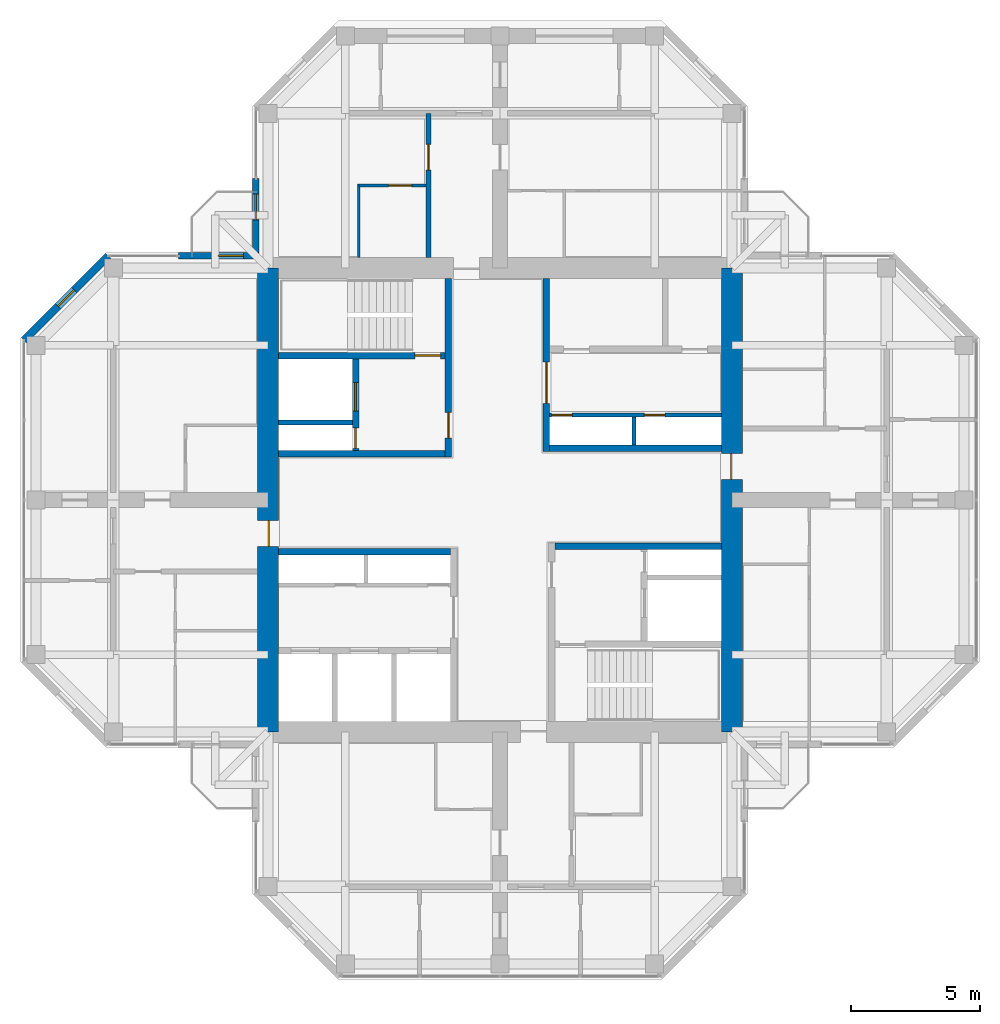
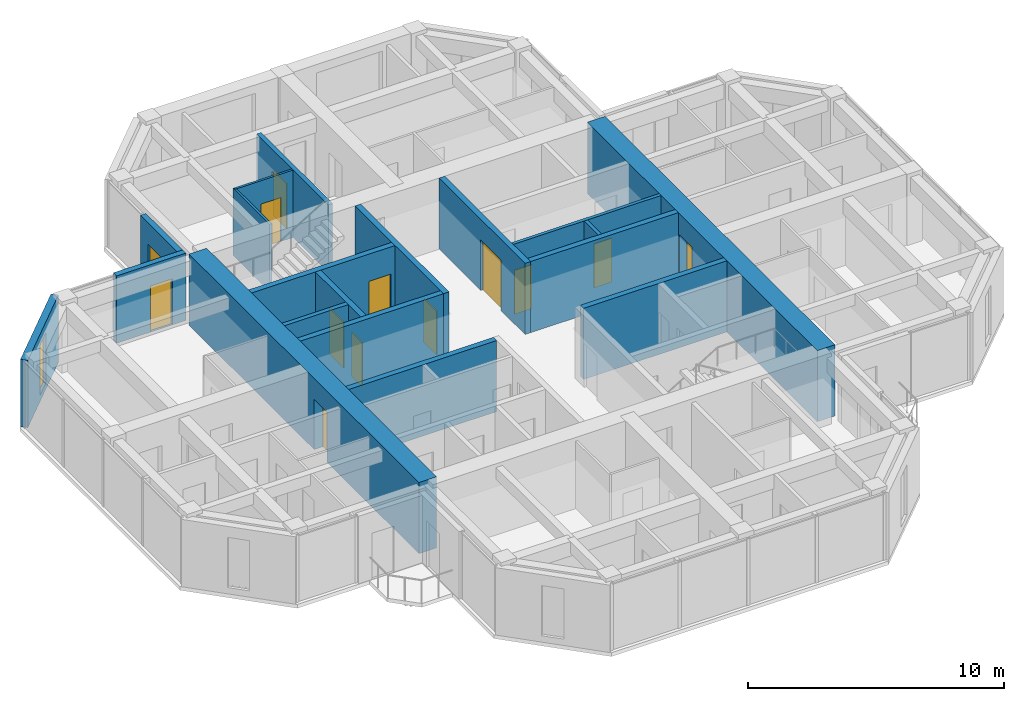
# One storey, part 10 of 13: 19 walls, 13 doors, 1 window, 14 openings.
"""IFC4 building model written with IfcOpenShell, lengths in metres."""

from ifc_helpers import new_model, si_unit, direction, frame, frame_2d, origin, place, context, subcontext, project, spatial, rectangle, hollow_rectangle, extrude, material, layer, layer_set, constituent, constituent_set, type_object, element, fill, save


model = new_model("IFC4")

# Units and contexts
model_context = context("Model", 3, precision=1e-05, world=origin(), true_north=direction((0.0, 1.0)))
body_context = subcontext(model_context, "Body", "Model", "MODEL_VIEW")
ifc_project = project(units=[si_unit("LENGTHUNIT", "METRE"), si_unit("AREAUNIT", "SQUARE_METRE"), si_unit("VOLUMEUNIT", "CUBIC_METRE"), si_unit("PLANEANGLEUNIT", "RADIAN"), si_unit("MASSUNIT", "GRAM", prefix="KILO")], contexts=[model_context])

# Site, building, storey
site_placement = place(None, origin())
site = spatial("IfcSite", under=ifc_project, at=site_placement, CompositionType="ELEMENT")
building_placement = place(site_placement, origin())
building = spatial("IfcBuilding", under=site, at=building_placement, Name="Torre Cruceta", CompositionType="ELEMENT")
storey_placement = place(building_placement, frame((0.0, 0.0, 281.5)))
storey = spatial("IfcBuildingStorey", under=building, at=storey_placement, Name="L73", CompositionType="ELEMENT", Elevation=281.5)

# Wall
ifc_material_1 = material(Name="Water-resistant plasterboard on steel studs", Category="steel")
ifc_layer_1 = layer(ifc_material_1, 0.10009765625)
ifc_layer_set_1 = layer_set([ifc_layer_1], Name="Water-resistant plasterboard on steel studs")
wall_type_1 = type_object("IfcWallType", Name="BATHROOM WALL 100", PredefinedType="PARTITIONING", material=ifc_layer_set_1)
wall_1_placement = place(storey_placement, frame((-5.47509765625, 9.39990234375, 0.0), z_axis=(0.0, 0.0, 1.0), x_axis=(0.0, 1.0, 0.0)))
element("IfcWall", 1, at=wall_1_placement, inside=storey, type_object=wall_type_1, Name="PT4 L73-N-U1LBB", PredefinedType="PARTITIONING", context=body_context, shape_type="SweptSolid", body=[
    extrude(rectangle(XDim=2.85009765625, YDim=0.10009765625, at=frame_2d((1.425048828125, 0.0))), origin(), (0.0, 0.0, 1.0), 3.219970703125),
])

# Wall, opening, door
wall_2_placement = place(storey_placement, frame((-2.875, 12.199951171875, 0.0), z_axis=(0.0, 0.0, 1.0), x_axis=(-1.0, 0.0, 0.0)))
wall_2 = element("IfcWall", 2, at=wall_2_placement, inside=storey, type_object=wall_type_1, Name="PT4 L73-N-U1LBS", PredefinedType="PARTITIONING", context=body_context, shape_type="SweptSolid", body=[
    extrude(rectangle(XDim=2.60009765625, YDim=0.10009765625, at=frame_2d((1.300048828125, 0.0))), origin(), (0.0, 0.0, 1.0), 3.219970703125),
])
opening_1_placement = place(wall_2_placement, frame((0.550048828125, 0.0, 0.0)))
opening_1 = element("IfcOpeningElement", 3, at=opening_1_placement, cuts=wall_2, Name="Opening D7", PredefinedType="OPENING", context=body_context, shape_type="SweptSolid", body=[
    extrude(rectangle(XDim=0.89990234375, YDim=2.10009765625, at=frame_2d((0.449951171875, 1.050048828125))), frame((0.0, 0.06005859375, 0.0), z_axis=(0.0, -1.0, 0.0), x_axis=(1.0, 0.0, 0.0)), (0.0, 0.0, 1.0), 0.1201171875),
])
ifc_material_2 = material(Name="Timber door", Category="wood")
door_type_1 = type_object("IfcDoorType", Name="BATHROOM DOOR 900X2100", OperationType="SINGLE_SWING_LEFT", PredefinedType="DOOR", material=ifc_material_2)
door_1_placement = place(opening_1_placement, origin())
door_1 = element("IfcDoor", 4, at=door_1_placement, inside=storey, type_object=door_type_1, Name="D7 L73-N-U1LBS-D1", OperationType="SINGLE_SWING_LEFT", OverallHeight=2.10009765625, OverallWidth=0.89990234375, PredefinedType="DOOR", context=body_context, shape_type="SweptSolid", body=[
    extrude(rectangle(XDim=0.89990234375, YDim=2.10009765625, at=frame_2d((0.449951171875, 1.050048828125))), frame((0.0, 0.02490234375, 0.0), z_axis=(0.0, -1.0, 0.0), x_axis=(1.0, 0.0, 0.0)), (0.0, 0.0, 1.0), 0.050048828125),
])
fill(opening_1, door_1)

ifc_material_3 = material(Name="Concrete G60 (fck 60 MPa)", Category="concrete")
ifc_layer_2 = layer(ifc_material_3, 0.25)
ifc_layer_set_2 = layer_set([ifc_layer_2], Name="Concrete G60 (fck 60 MPa)")
wall_type_2 = type_object("IfcWallType", Name="CORE INNER WALL 250 G60", PredefinedType="SHEAR", material=ifc_layer_set_2)
wall_3_placement = place(storey_placement, frame((1.800048828125, 1.875, 0.0), z_axis=(0.0, 0.0, 1.0), x_axis=(0.0, 1.0, 0.0)))
wall_3 = element("IfcWall", 5, at=wall_3_placement, inside=storey, type_object=wall_type_2, Name="CW4 L73 NE-CU", PredefinedType="SHEAR", context=body_context, shape_type="SweptSolid", body=[
    extrude(rectangle(XDim=6.72509765625, YDim=0.25, at=frame_2d((3.362548828125, 0.0))), origin(), (0.0, 0.0, 1.0), 3.39990234375),
])
opening_2_placement = place(wall_3_placement, frame((1.875, 0.0, 0.0)))
opening_2 = element("IfcOpeningElement", 6, at=opening_2_placement, cuts=wall_3, Name="Opening D15", PredefinedType="OPENING", context=body_context, shape_type="SweptSolid", body=[
    extrude(rectangle(XDim=1.60009765625, YDim=2.39990234375, at=frame_2d((0.800048828125, 1.199951171875))), frame((0.0, 0.135009765625, 0.0), z_axis=(0.0, -1.0, 0.0), x_axis=(1.0, 0.0, 0.0)), (0.0, 0.0, 1.0), 0.27001953125),
])
ifc_material_4 = material(Name="Steel DX51D", Category="steel")
ifc_constituent_1 = constituent(ifc_material_4, Name="Leaf and frame")
ifc_material_5 = material(Name="Polyester powder coating", Category="paint")
ifc_constituent_2 = constituent(ifc_material_5, Name="Finish")
ifc_constituent_set_1 = constituent_set(constituents=[ifc_constituent_1, ifc_constituent_2], Name="Steel fire door")
door_type_2 = type_object("IfcDoorType", Name="CORE ROOM DOUBLE DOOR 1600X2400", OperationType="DOUBLE_DOOR_SINGLE_SWING", PredefinedType="DOOR", material=ifc_constituent_set_1)
door_2_placement = place(opening_2_placement, frame((1.60009765625, 0.0, 0.0), z_axis=(0.0, 0.0, 1.0), x_axis=(-1.0, 0.0, 0.0)))
door_2 = element("IfcDoor", 7, at=door_2_placement, inside=storey, type_object=door_type_2, Name="D15 L73 NE-LOBBY", OperationType="DOUBLE_DOOR_SINGLE_SWING", OverallHeight=2.39990234375, OverallWidth=1.60009765625, PredefinedType="DOOR", context=body_context, shape_type="SweptSolid", body=[
    extrude(rectangle(XDim=1.60009765625, YDim=2.39990234375, at=frame_2d((0.800048828125, 1.199951171875))), frame((0.0, 0.025146484375, 0.0), z_axis=(0.0, -1.0, 0.0), x_axis=(1.0, 0.0, 0.0)), (0.0, 0.0, 1.0), 0.050048828125),
])
fill(opening_2, door_2)

# Wall
wall_4_placement = place(storey_placement, frame((1.925048828125, 2.0, 0.0), z_axis=(0.0, 0.0, 1.0), x_axis=(1.0, 0.0, 0.0)))
element("IfcWall", 8, at=wall_4_placement, inside=storey, type_object=wall_type_2, Name="CW4 L73 NE-CV", PredefinedType="SHEAR", context=body_context, shape_type="SweptSolid", body=[
    extrude(rectangle(XDim=6.675048828125, YDim=0.25, at=frame_2d((3.33740234375, 0.0))), origin(), (0.0, 0.0, 1.0), 3.39990234375),
])

# Wall, opening, door
wall_5_placement = place(storey_placement, frame((-2.0, 1.675048828125, 0.0), z_axis=(0.0, 0.0, 1.0), x_axis=(0.0, 1.0, 0.0)))
wall_5 = element("IfcWall", 9, at=wall_5_placement, inside=storey, type_object=wall_type_2, Name="CW4 L73 NW-CU", PredefinedType="SHEAR", context=body_context, shape_type="SweptSolid", body=[
    extrude(rectangle(XDim=6.925048828125, YDim=0.25, at=frame_2d((3.46240234375, 0.0))), origin(), (0.0, 0.0, 1.0), 3.39990234375),
])
opening_3_placement = place(wall_5_placement, frame((0.72509765625, 0.0, 0.0)))
opening_3 = element("IfcOpeningElement", 10, at=opening_3_placement, cuts=wall_5, Name="Opening D3", PredefinedType="OPENING", context=body_context, shape_type="SweptSolid", body=[
    extrude(rectangle(XDim=1.0, YDim=2.10009765625, at=frame_2d((0.5, 1.050048828125))), frame((0.0, 0.135009765625, 0.0), z_axis=(0.0, -1.0, 0.0), x_axis=(1.0, 0.0, 0.0)), (0.0, 0.0, 1.0), 0.27001953125),
])
ifc_material_6 = material(Name="Steel DX51D", Category="steel")
ifc_constituent_3 = constituent(ifc_material_6, Name="Leaf and frame")
ifc_material_7 = material(Name="Polyester powder coating", Category="paint")
ifc_constituent_4 = constituent(ifc_material_7, Name="Finish")
ifc_constituent_set_2 = constituent_set(constituents=[ifc_constituent_3, ifc_constituent_4], Name="Steel fire door")
door_type_3 = type_object("IfcDoorType", Name="FIRE DOOR 1000X2100", OperationType="SINGLE_SWING_LEFT", PredefinedType="DOOR", material=ifc_constituent_set_2)
door_3_placement = place(opening_3_placement, origin())
door_3 = element("IfcDoor", 11, at=door_3_placement, inside=storey, type_object=door_type_3, Name="D3 L73 NW-LOBBY", OperationType="SINGLE_SWING_LEFT", OverallHeight=2.10009765625, OverallWidth=1.0, PredefinedType="DOOR", context=body_context, shape_type="SweptSolid", body=[
    extrude(rectangle(XDim=1.0, YDim=2.10009765625, at=frame_2d((0.5, 1.050048828125))), frame((0.0, 0.02490234375, 0.0), z_axis=(0.0, -1.0, 0.0), x_axis=(1.0, 0.0, 0.0)), (0.0, 0.0, 1.0), 0.050048828125),
])
fill(opening_3, door_3)

# Wall
wall_6_placement = place(storey_placement, frame((-2.125, 1.800048828125, 0.0), z_axis=(0.0, 0.0, 1.0), x_axis=(-1.0, 0.0, 0.0)))
element("IfcWall", 12, at=wall_6_placement, inside=storey, type_object=wall_type_2, Name="CW4 L73 NW-CV", PredefinedType="SHEAR", context=body_context, shape_type="SweptSolid", body=[
    extrude(rectangle(XDim=6.47509765625, YDim=0.25, at=frame_2d((3.237548828125, 0.0))), origin(), (0.0, 0.0, 1.0), 3.39990234375),
])

# Wall, opening, door
wall_7_placement = place(storey_placement, frame((-2.125, 5.60009765625, 0.0), z_axis=(0.0, 0.0, 1.0), x_axis=(-1.0, 0.0, 0.0)))
wall_7 = element("IfcWall", 13, at=wall_7_placement, inside=storey, type_object=wall_type_2, Name="CW4 L73 NW-SV", PredefinedType="SHEAR", context=body_context, shape_type="SweptSolid", body=[
    extrude(rectangle(XDim=6.47509765625, YDim=0.25, at=frame_2d((3.237548828125, 0.0))), origin(), (0.0, 0.0, 1.0), 3.39990234375),
])
opening_4_placement = place(wall_7_placement, frame((0.175048828125, 0.0, 0.0)))
opening_4 = element("IfcOpeningElement", 14, at=opening_4_placement, cuts=wall_7, Name="Opening D3", PredefinedType="OPENING", context=body_context, shape_type="SweptSolid", body=[
    extrude(rectangle(XDim=1.0, YDim=2.10009765625, at=frame_2d((0.5, 1.050048828125))), frame((0.0, 0.135009765625, 0.0), z_axis=(0.0, -1.0, 0.0), x_axis=(1.0, 0.0, 0.0)), (0.0, 0.0, 1.0), 0.27001953125),
])
door_4_placement = place(opening_4_placement, frame((1.0, 0.0, 0.0), z_axis=(0.0, 0.0, 1.0), x_axis=(-1.0, 0.0, 0.0)))
door_4 = element("IfcDoor", 15, at=door_4_placement, inside=storey, type_object=door_type_3, Name="D3 L73 NW-STAIR", OperationType="SINGLE_SWING_RIGHT", OverallHeight=2.10009765625, OverallWidth=1.0, PredefinedType="DOOR", context=body_context, shape_type="SweptSolid", body=[
    extrude(rectangle(XDim=1.0, YDim=2.10009765625, at=frame_2d((0.5, 1.050048828125))), frame((0.0, 0.025146484375, 0.0), z_axis=(0.0, -1.0, 0.0), x_axis=(1.0, 0.0, 0.0)), (0.0, 0.0, 1.0), 0.050048828125),
])
fill(opening_4, door_4)

# Wall, openings, doors
wall_8_placement = place(storey_placement, frame((-5.60009765625, 1.925048828125, 0.0), z_axis=(0.0, 0.0, 1.0), x_axis=(0.0, 1.0, 0.0)))
wall_8 = element("IfcWall", 16, at=wall_8_placement, inside=storey, type_object=wall_type_2, Name="CW4 L73 NW-FU", PredefinedType="SHEAR", context=body_context, shape_type="SweptSolid", body=[
    extrude(rectangle(XDim=3.550048828125, YDim=0.25, at=frame_2d((1.77490234375, 0.0))), origin(), (0.0, 0.0, 1.0), 3.39990234375),
])
opening_5_placement = place(wall_8_placement, frame((1.52490234375, 0.0, 0.0)))
opening_5 = element("IfcOpeningElement", 17, at=opening_5_placement, cuts=wall_8, Name="Opening LD1", PredefinedType="OPENING", context=body_context, shape_type="SweptSolid", body=[
    extrude(rectangle(XDim=1.10009765625, YDim=2.199951171875, at=frame_2d((0.550048828125, 1.10009765625))), frame((0.0, 0.135009765625, 0.0), z_axis=(0.0, -1.0, 0.0), x_axis=(1.0, 0.0, 0.0)), (0.0, 0.0, 1.0), 0.27001953125),
])
opening_6_placement = place(wall_8_placement, frame((0.074951171875, 0.0, 0.0)))
opening_6 = element("IfcOpeningElement", 18, at=opening_6_placement, cuts=wall_8, Name="Opening D5", PredefinedType="OPENING", context=body_context, shape_type="SweptSolid", body=[
    extrude(rectangle(XDim=0.800048828125, YDim=2.10009765625, at=frame_2d((0.39990234375, 1.050048828125))), frame((0.0, 0.135009765625, 0.0), z_axis=(0.0, -1.0, 0.0), x_axis=(1.0, 0.0, 0.0)), (0.0, 0.0, 1.0), 0.27001953125),
])
ifc_material_8 = material(Name="Stainless steel 1.4401", Category="steel")
door_type_4 = type_object("IfcDoorType", Name="LIFT LANDING DOOR 1100X2200", OperationType="DOUBLE_DOOR_SLIDING", PredefinedType="DOOR", material=ifc_material_8)
door_5_placement = place(opening_5_placement, origin())
door_5 = element("IfcDoor", 19, at=door_5_placement, inside=storey, type_object=door_type_4, Name="Lift landing door FL1", OperationType="DOUBLE_DOOR_SLIDING", OverallHeight=2.199951171875, OverallWidth=1.10009765625, PredefinedType="DOOR", context=body_context, shape_type="SweptSolid", body=[
    extrude(rectangle(XDim=1.10009765625, YDim=2.199951171875, at=frame_2d((0.550048828125, 1.10009765625))), frame((0.0, 0.02490234375, 0.0), z_axis=(0.0, -1.0, 0.0), x_axis=(1.0, 0.0, 0.0)), (0.0, 0.0, 1.0), 0.050048828125),
])
fill(opening_5, door_5)
ifc_material_9 = material(Name="Steel DX51D", Category="steel")
ifc_constituent_5 = constituent(ifc_material_9, Name="Leaf and frame")
ifc_material_10 = material(Name="Polyester powder coating", Category="paint")
ifc_constituent_6 = constituent(ifc_material_10, Name="Finish")
ifc_constituent_set_3 = constituent_set(constituents=[ifc_constituent_5, ifc_constituent_6], Name="Steel fire door")
door_type_5 = type_object("IfcDoorType", Name="RISER ACCESS DOOR 800X2100", OperationType="SINGLE_SWING_LEFT", PredefinedType="DOOR", material=ifc_constituent_set_3)
door_6_placement = place(opening_6_placement, origin())
door_6 = element("IfcDoor", 20, at=door_6_placement, inside=storey, type_object=door_type_5, Name="D5 L73 NW-RISER", OperationType="SINGLE_SWING_LEFT", OverallHeight=2.10009765625, OverallWidth=0.800048828125, PredefinedType="DOOR", context=body_context, shape_type="SweptSolid", body=[
    extrude(rectangle(XDim=0.800048828125, YDim=2.10009765625, at=frame_2d((0.39990234375, 1.050048828125))), frame((0.0, 0.02490234375, 0.0), z_axis=(0.0, -1.0, 0.0), x_axis=(1.0, 0.0, 0.0)), (0.0, 0.0, 1.0), 0.050048828125),
])
fill(opening_6, door_6)

# Walls
wall_9_placement = place(storey_placement, frame((-1.925048828125, -2.0, 0.0), z_axis=(0.0, 0.0, 1.0), x_axis=(-1.0, 0.0, 0.0)))
element("IfcWall", 21, at=wall_9_placement, inside=storey, type_object=wall_type_2, Name="CW4 L73 SW-CV", PredefinedType="SHEAR", context=body_context, shape_type="SweptSolid", body=[
    extrude(rectangle(XDim=6.675048828125, YDim=0.25, at=frame_2d((3.33740234375, 0.0))), origin(), (0.0, 0.0, 1.0), 3.39990234375),
])
wall_10_placement = place(storey_placement, frame((2.125, -1.800048828125, 0.0), z_axis=(0.0, 0.0, 1.0), x_axis=(1.0, 0.0, 0.0)))
element("IfcWall", 22, at=wall_10_placement, inside=storey, type_object=wall_type_2, Name="CW4 L73 SE-CV", PredefinedType="SHEAR", context=body_context, shape_type="SweptSolid", body=[
    extrude(rectangle(XDim=6.47509765625, YDim=0.25, at=frame_2d((3.237548828125, 0.0))), origin(), (0.0, 0.0, 1.0), 3.39990234375),
])

# Wall, opening, door
ifc_material_11 = material(Name="Concrete G60 (fck 60 MPa)", Category="concrete")
ifc_layer_3 = layer(ifc_material_11, 0.800048828125)
ifc_layer_set_3 = layer_set([ifc_layer_3], Name="Concrete G60 (fck 60 MPa)")
wall_type_3 = type_object("IfcWallType", Name="CORE WALL 800 G60", PredefinedType="SHEAR", material=ifc_layer_set_3)
wall_11_placement = place(storey_placement, frame((9.0, -9.0, 0.0), z_axis=(0.0, 0.0, 1.0), x_axis=(0.0, 1.0, 0.0)))
wall_11 = element("IfcWall", 23, at=wall_11_placement, inside=storey, type_object=wall_type_3, Name="CW3 L73 CW-E", PredefinedType="SHEAR", context=body_context, shape_type="SweptSolid", body=[
    extrude(rectangle(XDim=18.0, YDim=0.800048828125, at=frame_2d((9.0, 0.0))), origin(), (0.0, 0.0, 1.0), 3.39990234375),
])
opening_7_placement = place(wall_11_placement, frame((9.800048828125, 0.0, 0.0)))
opening_7 = element("IfcOpeningElement", 24, at=opening_7_placement, cuts=wall_11, Name="Opening D4", PredefinedType="OPENING", context=body_context, shape_type="SweptSolid", body=[
    extrude(rectangle(XDim=1.0, YDim=2.39990234375, at=frame_2d((0.5, 1.199951171875))), frame((0.0, 0.409912109375, 0.0), z_axis=(0.0, -1.0, 0.0), x_axis=(1.0, 0.0, 0.0)), (0.0, 0.0, 1.0), 0.820068359375),
])
ifc_material_12 = material(Name="Steel DX51D", Category="steel")
ifc_constituent_7 = constituent(ifc_material_12, Name="Leaf and frame")
ifc_material_13 = material(Name="Polyester powder coating", Category="paint")
ifc_constituent_8 = constituent(ifc_material_13, Name="Finish")
ifc_constituent_set_4 = constituent_set(constituents=[ifc_constituent_7, ifc_constituent_8], Name="Steel fire door")
door_type_6 = type_object("IfcDoorType", Name="CORE ARM DOOR 1000X2400", OperationType="SINGLE_SWING_RIGHT", PredefinedType="DOOR", material=ifc_constituent_set_4)
door_7_placement = place(opening_7_placement, origin())
door_7 = element("IfcDoor", 25, at=door_7_placement, inside=storey, type_object=door_type_6, Name="D4 L73 CW-E", OperationType="SINGLE_SWING_RIGHT", OverallHeight=2.39990234375, OverallWidth=1.0, PredefinedType="DOOR", context=body_context, shape_type="SweptSolid", body=[
    extrude(rectangle(XDim=1.0, YDim=2.39990234375, at=frame_2d((0.5, 1.199951171875))), frame((0.0, 0.05517578125, 0.0), z_axis=(0.0, -1.0, 0.0), x_axis=(1.0, 0.0, 0.0)), (0.0, 0.0, 1.0), 0.050048828125),
])
fill(opening_7, door_7)

wall_12_placement = place(storey_placement, frame((-9.0, 9.0, 0.0), z_axis=(0.0, 0.0, 1.0), x_axis=(0.0, -1.0, 0.0)))
wall_12 = element("IfcWall", 26, at=wall_12_placement, inside=storey, type_object=wall_type_3, Name="CW3 L73 CW-W", PredefinedType="SHEAR", context=body_context, shape_type="SweptSolid", body=[
    extrude(rectangle(XDim=18.0, YDim=0.800048828125, at=frame_2d((9.0, 0.0))), origin(), (0.0, 0.0, 1.0), 3.39990234375),
])
opening_8_placement = place(wall_12_placement, frame((9.800048828125, 0.0, 0.0)))
opening_8 = element("IfcOpeningElement", 27, at=opening_8_placement, cuts=wall_12, Name="Opening D4", PredefinedType="OPENING", context=body_context, shape_type="SweptSolid", body=[
    extrude(rectangle(XDim=1.0, YDim=2.39990234375, at=frame_2d((0.5, 1.199951171875))), frame((0.0, 0.409912109375, 0.0), z_axis=(0.0, -1.0, 0.0), x_axis=(1.0, 0.0, 0.0)), (0.0, 0.0, 1.0), 0.820068359375),
])
door_8_placement = place(opening_8_placement, origin())
door_8 = element("IfcDoor", 28, at=door_8_placement, inside=storey, type_object=door_type_6, Name="D4 L73 CW-W", OperationType="SINGLE_SWING_RIGHT", OverallHeight=2.39990234375, OverallWidth=1.0, PredefinedType="DOOR", context=body_context, shape_type="SweptSolid", body=[
    extrude(rectangle(XDim=1.0, YDim=2.39990234375, at=frame_2d((0.5, 1.199951171875))), frame((0.0, 0.05517578125, 0.0), z_axis=(0.0, -1.0, 0.0), x_axis=(1.0, 0.0, 0.0)), (0.0, 0.0, 1.0), 0.050048828125),
])
fill(opening_8, door_8)

ifc_material_14 = material(Name="Concrete G25 (fck 25 MPa)", Category="concrete")
ifc_layer_4 = layer(ifc_material_14, 0.199951171875)
ifc_layer_set_4 = layer_set([ifc_layer_4], Name="Concrete G25 (fck 25 MPa)")
wall_type_4 = type_object("IfcWallType", Name="CORRIDOR WALL 200", PredefinedType="SOLIDWALL", material=ifc_layer_set_4)
wall_13_placement = place(storey_placement, frame((-2.77490234375, 9.39990234375, 0.0), z_axis=(0.0, 0.0, 1.0), x_axis=(0.0, 1.0, 0.0)))
wall_13 = element("IfcWall", 29, at=wall_13_placement, inside=storey, type_object=wall_type_4, Name="PT3 L73-N-CL", PredefinedType="SOLIDWALL", context=body_context, shape_type="SweptSolid", body=[
    extrude(rectangle(XDim=5.60009765625, YDim=0.199951171875, at=frame_2d((2.800048828125, 0.0))), origin(), (0.0, 0.0, 1.0), 3.219970703125),
])
opening_9_placement = place(wall_13_placement, frame((3.39990234375, 0.0, 0.0)))
opening_9 = element("IfcOpeningElement", 30, at=opening_9_placement, cuts=wall_13, Name="Opening D6", PredefinedType="OPENING", context=body_context, shape_type="SweptSolid", body=[
    extrude(rectangle(XDim=1.0, YDim=2.14990234375, at=frame_2d((0.5, 1.074951171875))), frame((0.0, 0.10986328125, 0.0), z_axis=(0.0, -1.0, 0.0), x_axis=(1.0, 0.0, 0.0)), (0.0, 0.0, 1.0), 0.219970703125),
])
ifc_material_15 = material(Name="Timber fire door", Category="wood")
door_type_7 = type_object("IfcDoorType", Name="UNIT ENTRANCE DOOR 1000X2150", OperationType="SINGLE_SWING_LEFT", PredefinedType="DOOR", material=ifc_material_15)
door_9_placement = place(opening_9_placement, origin())
door_9 = element("IfcDoor", 31, at=door_9_placement, inside=storey, type_object=door_type_7, Name="D6 L73-N-CL-D1", OperationType="SINGLE_SWING_LEFT", OverallHeight=2.14990234375, OverallWidth=1.0, PredefinedType="DOOR", context=body_context, shape_type="SweptSolid", body=[
    extrude(rectangle(XDim=1.0, YDim=2.14990234375, at=frame_2d((0.5, 1.074951171875))), frame((0.0, 0.02490234375, 0.0), z_axis=(0.0, -1.0, 0.0), x_axis=(1.0, 0.0, 0.0)), (0.0, 0.0, 1.0), 0.050048828125),
])
fill(opening_9, door_9)

# Wall, opening, window
ifc_material_16 = material(Name="Concrete G30 (fck 30 MPa)", Category="concrete")
ifc_layer_5 = layer(ifc_material_16, 0.300048828125)
ifc_layer_set_5 = layer_set([ifc_layer_5], Name="Concrete G30 (fck 30 MPa)")
wall_type_5 = type_object("IfcWallType", Name="EXPOSED CONCRETE FACADE WALL 300", PredefinedType="SOLIDWALL", material=ifc_layer_set_5)
wall_14_placement = place(storey_placement, frame((-15.194580078125, 9.469970703125, 0.0), z_axis=(0.0, 0.0, 1.0), x_axis=(-0.707106781187, -0.707106781187, 0.0)))
wall_14 = element("IfcWall", 32, at=wall_14_placement, inside=storey, type_object=wall_type_5, Name="EW1 facade wall L73 W chamfer 11", PredefinedType="SOLIDWALL", context=body_context, shape_type="SweptSolid", body=[
    extrude(rectangle(XDim=4.632080078125, YDim=0.300048828125, at=frame_2d((2.31591796875, 0.0))), origin(), (0.0, 0.0, 1.0), 3.219970703125),
])
opening_10_placement = place(wall_14_placement, frame((1.865966796875, 0.0, 0.300048828125)))
opening_10 = element("IfcOpeningElement", 33, at=opening_10_placement, cuts=wall_14, Name="Opening WN5", PredefinedType="OPENING", context=body_context, shape_type="SweptSolid", body=[
    extrude(rectangle(XDim=0.89990234375, YDim=2.39990234375, at=frame_2d((0.449951171875, 1.199951171875))), frame((0.0, 0.159912109375, 0.0), z_axis=(0.0, -1.0, 0.0), x_axis=(1.0, 0.0, 0.0)), (0.0, 0.0, 1.0), 0.320068359375),
])
ifc_material_17 = material(Name="Aluminium window frame", Category="aluminium")
ifc_constituent_9 = constituent(ifc_material_17, Name="Frame")
ifc_material_18 = material(Name="Laminated insulating glass unit, low-iron clear", Category="glass")
ifc_constituent_10 = constituent(ifc_material_18, Name="Glazing")
ifc_constituent_set_5 = constituent_set(constituents=[ifc_constituent_9, ifc_constituent_10], Name="Aluminium window")
window_type = type_object("IfcWindowType", Name="CHAMFER SLOT WINDOW 900X2400", PartitioningType="SINGLE_PANEL", PredefinedType="WINDOW", material=ifc_constituent_set_5)
window_placement = place(opening_10_placement, origin())
window = element("IfcWindow", 34, at=window_placement, inside=storey, type_object=window_type, Name="WN5 L73 W 1", OverallHeight=2.39990234375, OverallWidth=0.89990234375, PartitioningType="SINGLE_PANEL", PredefinedType="WINDOW", context=body_context, shape_type="SweptSolid", body=[
    extrude(hollow_rectangle(XDim=0.89990234375, YDim=2.39990234375, WallThickness=0.06005859375, at=frame_2d((0.449951171875, 1.199951171875))), frame((0.0, 0.030029296875, 0.0), z_axis=(0.0, -1.0, 0.0), x_axis=(1.0, 0.0, 0.0)), (0.0, 0.0, 1.0), 0.06005859375),
    extrude(rectangle(XDim=0.77880859375, YDim=2.27880859375, at=frame_2d((0.449951171875, 1.199951171875))), frame((0.0, 0.030029296875, 0.0), z_axis=(0.0, -1.0, 0.0), x_axis=(1.0, 0.0, 0.0)), (0.0, 0.0, 1.0), 0.06005859375),
])
fill(opening_10, window)

# Wall
ifc_material_19 = material(Name="Concrete G35 (fck 35 MPa)", Category="concrete")
ifc_layer_6 = layer(ifc_material_19, 0.199951171875)
ifc_layer_set_6 = layer_set([ifc_layer_6], Name="Concrete G35 (fck 35 MPa)")
wall_type_6 = type_object("IfcWallType", Name="LIFT SHAFT WALL 200", PredefinedType="PARTITIONING", material=ifc_layer_set_6)
wall_15_placement = place(storey_placement, frame((-5.72509765625, 3.0, 0.0), z_axis=(0.0, 0.0, 1.0), x_axis=(-1.0, 0.0, 0.0)))
element("IfcWall", 35, at=wall_15_placement, inside=storey, type_object=wall_type_6, Name="SW1 L73 NW-FR", PredefinedType="PARTITIONING", context=body_context, shape_type="SweptSolid", body=[
    extrude(rectangle(XDim=2.875, YDim=0.199951171875, at=frame_2d((1.4375, 0.0))), origin(), (0.0, 0.0, 1.0), 3.39990234375),
])

# Wall, openings, doors
ifc_material_20 = material(Name="Concrete block masonry", Category="masonry")
ifc_layer_7 = layer(ifc_material_20, 0.14990234375)
ifc_layer_set_7 = layer_set([ifc_layer_7], Name="Concrete block masonry")
wall_type_7 = type_object("IfcWallType", Name="RISER WALL 150", PredefinedType="PARTITIONING", material=ifc_layer_set_7)
wall_16_placement = place(storey_placement, frame((1.925048828125, 3.300048828125, 0.0), z_axis=(0.0, 0.0, 1.0), x_axis=(1.0, 0.0, 0.0)))
wall_16 = element("IfcWall", 36, at=wall_16_placement, inside=storey, type_object=wall_type_7, Name="SW7 L73 NE-RV", PredefinedType="PARTITIONING", context=body_context, shape_type="SweptSolid", body=[
    extrude(rectangle(XDim=6.675048828125, YDim=0.14990234375, at=frame_2d((3.33740234375, 0.0))), origin(), (0.0, 0.0, 1.0), 3.39990234375),
])
opening_11_placement = place(wall_16_placement, frame((0.074951171875, 0.0, 0.0)))
opening_11 = element("IfcOpeningElement", 37, at=opening_11_placement, cuts=wall_16, Name="Opening D5", PredefinedType="OPENING", context=body_context, shape_type="SweptSolid", body=[
    extrude(rectangle(XDim=0.800048828125, YDim=2.10009765625, at=frame_2d((0.39990234375, 1.050048828125))), frame((0.0, 0.0849609375, 0.0), z_axis=(0.0, -1.0, 0.0), x_axis=(1.0, 0.0, 0.0)), (0.0, 0.0, 1.0), 0.169921875),
])
opening_12_placement = place(wall_16_placement, frame((3.675048828125, 0.0, 0.0)))
opening_12 = element("IfcOpeningElement", 38, at=opening_12_placement, cuts=wall_16, Name="Opening D5", PredefinedType="OPENING", context=body_context, shape_type="SweptSolid", body=[
    extrude(rectangle(XDim=0.800048828125, YDim=2.10009765625, at=frame_2d((0.39990234375, 1.050048828125))), frame((0.0, 0.0849609375, 0.0), z_axis=(0.0, -1.0, 0.0), x_axis=(1.0, 0.0, 0.0)), (0.0, 0.0, 1.0), 0.169921875),
])
door_10_placement = place(opening_11_placement, frame((0.800048828125, 0.0, 0.0), z_axis=(0.0, 0.0, 1.0), x_axis=(-1.0, 0.0, 0.0)))
door_10 = element("IfcDoor", 39, at=door_10_placement, inside=storey, type_object=door_type_5, Name="D5 L73 NE-RISER1", OperationType="SINGLE_SWING_RIGHT", OverallHeight=2.10009765625, OverallWidth=0.800048828125, PredefinedType="DOOR", context=body_context, shape_type="SweptSolid", body=[
    extrude(rectangle(XDim=0.800048828125, YDim=2.10009765625, at=frame_2d((0.400146484375, 1.050048828125))), frame((0.0, 0.025146484375, 0.0), z_axis=(0.0, -1.0, 0.0), x_axis=(1.0, 0.0, 0.0)), (0.0, 0.0, 1.0), 0.050048828125),
])
fill(opening_11, door_10)
door_11_placement = place(opening_12_placement, frame((0.800048828125, 0.0, 0.0), z_axis=(0.0, 0.0, 1.0), x_axis=(-1.0, 0.0, 0.0)))
door_11 = element("IfcDoor", 40, at=door_11_placement, inside=storey, type_object=door_type_5, Name="D5 L73 NE-RISER2", OperationType="SINGLE_SWING_RIGHT", OverallHeight=2.10009765625, OverallWidth=0.800048828125, PredefinedType="DOOR", context=body_context, shape_type="SweptSolid", body=[
    extrude(rectangle(XDim=0.800048828125, YDim=2.10009765625, at=frame_2d((0.400146484375, 1.050048828125))), frame((0.0, 0.025146484375, 0.0), z_axis=(0.0, -1.0, 0.0), x_axis=(1.0, 0.0, 0.0)), (0.0, 0.0, 1.0), 0.050048828125),
])
fill(opening_12, door_11)

# Wall
wall_17_placement = place(storey_placement, frame((5.199951171875, 2.125, 0.0), z_axis=(0.0, 0.0, 1.0), x_axis=(0.0, 1.0, 0.0)))
element("IfcWall", 41, at=wall_17_placement, inside=storey, type_object=wall_type_7, Name="SW7 L73 NE-RU", PredefinedType="PARTITIONING", context=body_context, shape_type="SweptSolid", body=[
    extrude(rectangle(XDim=1.10009765625, YDim=0.14990234375, at=frame_2d((0.550048828125, 0.0))), origin(), (0.0, 0.0, 1.0), 3.39990234375),
])

# Wall, opening, door
ifc_material_21 = material(Name="Concrete G30 (fck 30 MPa)", Category="concrete")
ifc_layer_8 = layer(ifc_material_21, 0.25)
ifc_layer_set_8 = layer_set([ifc_layer_8], Name="Concrete G30 (fck 30 MPa)")
wall_type_8 = type_object("IfcWallType", Name="WINTER GARDEN WALL 250", PredefinedType="SOLIDWALL", material=ifc_layer_set_8)
wall_18_placement = place(storey_placement, frame((-9.469970703125, 12.469970703125, 0.0), z_axis=(0.0, 0.0, 1.0), x_axis=(0.0, -1.0, 0.0)))
wall_18 = element("IfcWall", 42, at=wall_18_placement, inside=storey, type_object=wall_type_8, Name="EW2 winter garden wall L73 09", PredefinedType="SOLIDWALL", context=body_context, shape_type="SweptSolid", body=[
    extrude(rectangle(XDim=2.875, YDim=0.25, at=frame_2d((1.4375, 0.0))), origin(), (0.0, 0.0, 1.0), 3.219970703125),
])
opening_13_placement = place(wall_18_placement, frame((0.60009765625, 0.0, 0.0)))
opening_13 = element("IfcOpeningElement", 43, at=opening_13_placement, cuts=wall_18, Name="Opening D10", PredefinedType="OPENING", context=body_context, shape_type="SweptSolid", body=[
    extrude(rectangle(XDim=1.0, YDim=2.199951171875, at=frame_2d((0.5, 1.10009765625))), frame((0.0, 0.135009765625, 0.0), z_axis=(0.0, -1.0, 0.0), x_axis=(1.0, 0.0, 0.0)), (0.0, 0.0, 1.0), 0.27001953125),
])
ifc_material_22 = material(Name="Aluminium door frame", Category="aluminium")
ifc_constituent_11 = constituent(ifc_material_22, Name="Frame")
ifc_material_23 = material(Name="Laminated safety glass", Category="glass")
ifc_constituent_12 = constituent(ifc_material_23, Name="Glazing")
ifc_constituent_set_6 = constituent_set(constituents=[ifc_constituent_11, ifc_constituent_12], Name="Aluminium glazed door")
door_type_8 = type_object("IfcDoorType", Name="BALCONY DOOR 1000X2200", OperationType="SINGLE_SWING_RIGHT", PredefinedType="DOOR", material=ifc_constituent_set_6)
door_12_placement = place(opening_13_placement, origin())
door_12 = element("IfcDoor", 44, at=door_12_placement, inside=storey, type_object=door_type_8, Name="D10 balcony door L73 09", OperationType="SINGLE_SWING_RIGHT", OverallHeight=2.199951171875, OverallWidth=1.0, PredefinedType="DOOR", context=body_context, shape_type="SweptSolid", body=[
    extrude(hollow_rectangle(XDim=1.0, YDim=2.199951171875, WallThickness=0.06005859375, at=frame_2d((0.5, 1.10009765625))), frame((0.0, 0.02490234375, 0.0), z_axis=(0.0, -1.0, 0.0), x_axis=(1.0, 0.0, 0.0)), (0.0, 0.0, 1.0), 0.050048828125),
    extrude(rectangle(XDim=0.87890625, YDim=2.078857421875, at=frame_2d((0.5, 1.10009765625))), frame((0.0, 0.02490234375, 0.0), z_axis=(0.0, -1.0, 0.0), x_axis=(1.0, 0.0, 0.0)), (0.0, 0.0, 1.0), 0.050048828125),
])
fill(opening_13, door_12)

wall_19_placement = place(storey_placement, frame((-9.344970703125, 9.469970703125, 0.0), z_axis=(0.0, 0.0, 1.0), x_axis=(-1.0, 0.0, 0.0)))
wall_19 = element("IfcWall", 45, at=wall_19_placement, inside=storey, type_object=wall_type_8, Name="EW2 winter garden wall L73 10", PredefinedType="SOLIDWALL", context=body_context, shape_type="SweptSolid", body=[
    extrude(rectangle(XDim=3.125, YDim=0.25, at=frame_2d((1.5625, 0.0))), origin(), (0.0, 0.0, 1.0), 3.219970703125),
])
opening_14_placement = place(wall_19_placement, frame((0.60009765625, 0.0, 0.0)))
opening_14 = element("IfcOpeningElement", 46, at=opening_14_placement, cuts=wall_19, Name="Opening D10", PredefinedType="OPENING", context=body_context, shape_type="SweptSolid", body=[
    extrude(rectangle(XDim=1.0, YDim=2.199951171875, at=frame_2d((0.5, 1.10009765625))), frame((0.0, 0.135009765625, 0.0), z_axis=(0.0, -1.0, 0.0), x_axis=(1.0, 0.0, 0.0)), (0.0, 0.0, 1.0), 0.27001953125),
])
door_13_placement = place(opening_14_placement, origin())
door_13 = element("IfcDoor", 47, at=door_13_placement, inside=storey, type_object=door_type_8, Name="D10 balcony door L73 10", OperationType="SINGLE_SWING_LEFT", OverallHeight=2.199951171875, OverallWidth=1.0, PredefinedType="DOOR", context=body_context, shape_type="SweptSolid", body=[
    extrude(hollow_rectangle(XDim=1.0, YDim=2.199951171875, WallThickness=0.06005859375, at=frame_2d((0.5, 1.10009765625))), frame((0.0, 0.02490234375, 0.0), z_axis=(0.0, -1.0, 0.0), x_axis=(1.0, 0.0, 0.0)), (0.0, 0.0, 1.0), 0.050048828125),
    extrude(rectangle(XDim=0.87890625, YDim=2.078857421875, at=frame_2d((0.5, 1.10009765625))), frame((0.0, 0.02490234375, 0.0), z_axis=(0.0, -1.0, 0.0), x_axis=(1.0, 0.0, 0.0)), (0.0, 0.0, 1.0), 0.050048828125),
])
fill(opening_14, door_13)

save(model, "model.ifc")
